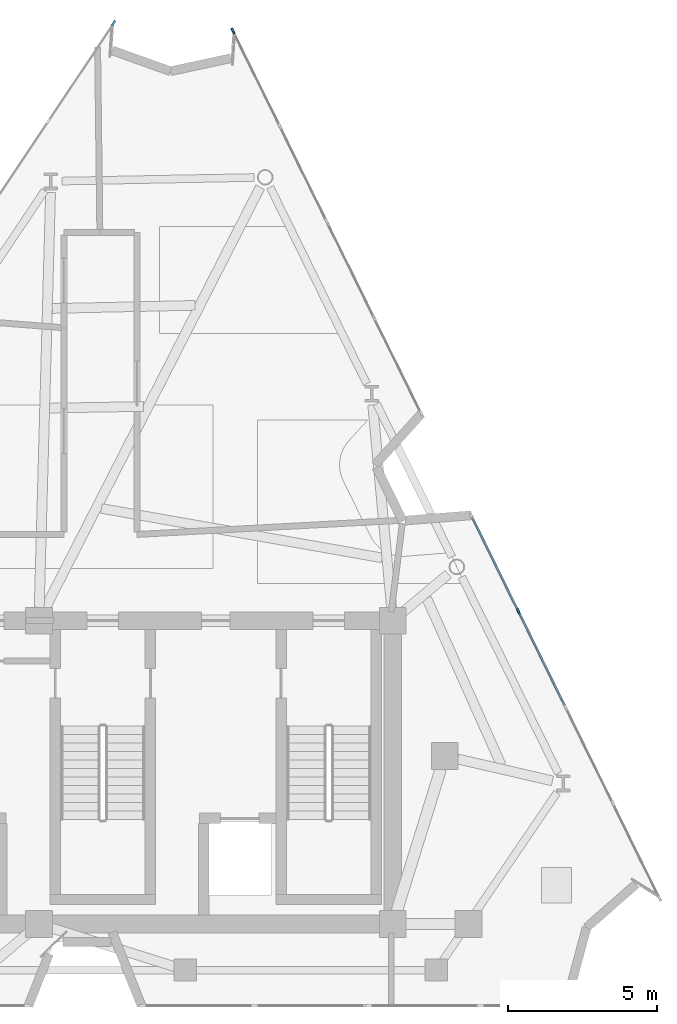
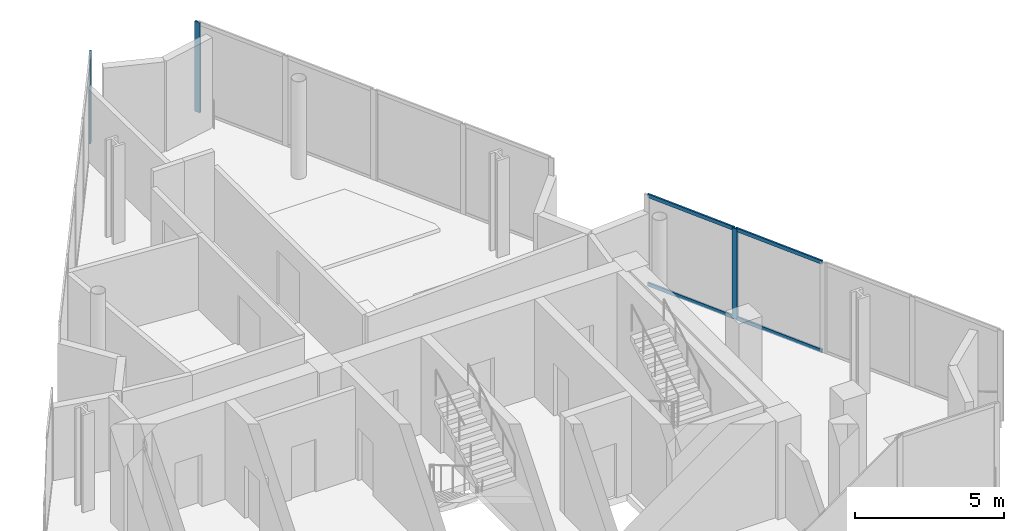
# One storey, part 4 of 9: 7 members, 3 elements without a shape of their own.
"""IFC4 building model written with IfcOpenShell, lengths in metres."""

from ifc_helpers import new_model, si_unit, direction, frame, origin, origin_2d, place, context, subcontext, project, spatial, rectangle, extrude, material, layer, layer_set, material_profile, profile_set, type_object, element, aggregate, save


model = new_model("IFC4")

# Units and contexts
model_context = context("Model", 3, precision=1e-05, world=origin(), true_north=direction((0.0, 1.0)))
body_context = subcontext(model_context, "Body", "Model", "MODEL_VIEW")
ifc_project = project(units=[si_unit("LENGTHUNIT", "METRE"), si_unit("AREAUNIT", "SQUARE_METRE"), si_unit("VOLUMEUNIT", "CUBIC_METRE"), si_unit("PLANEANGLEUNIT", "RADIAN"), si_unit("MASSUNIT", "GRAM", prefix="KILO")], contexts=[model_context])

# Site, building, storey
site_placement = place(None, origin())
site = spatial("IfcSite", under=ifc_project, at=site_placement, CompositionType="ELEMENT")
building_placement = place(site_placement, origin())
building = spatial("IfcBuilding", under=site, at=building_placement, Name="Almagre Mirador Tower", CompositionType="ELEMENT")
storey_placement = place(building_placement, frame((0.0, 0.0, 298.5)))
storey = spatial("IfcBuildingStorey", under=building, at=storey_placement, Name="L77", CompositionType="ELEMENT", Elevation=298.5)

# Curtain wall, member
ifc_material_1 = material(Name="Black anodized aluminium", Category="aluminium")
ifc_layer = layer(ifc_material_1, 0.2099609375)
ifc_layer_set = layer_set([ifc_layer], Name="Black anodized aluminium")
curtain_wall_type = type_object("IfcCurtainWallType", Name="CW-CRN-SYS", PredefinedType="NOTDEFINED", material=ifc_layer_set)
curtain_wall_1_placement = place(storey_placement, origin())
curtain_wall_1 = element("IfcCurtainWall", 1, at=curtain_wall_1_placement, inside=storey, type_object=curtain_wall_type, Name="L77 curtain wall run 02", PredefinedType="NOTDEFINED")
ifc_material_2 = material(Name="Black anodized aluminium", Category="aluminium")
ifc_material_profile_1 = material_profile(ifc_material_2, rectangle(XDim=0.070068359375, YDim=0.2099609375, at=origin_2d()), Name="CWM70X210")
ifc_profile_set_1 = profile_set([ifc_material_profile_1], Name="Black anodized aluminium")
member_type_1 = type_object("IfcMemberType", Name="MBR-CWM70X210", PredefinedType="MULLION", material=ifc_profile_set_1)
member_1_placement = place(storey_placement, frame((37.65966796875, 34.843994140625, 0.0), z_axis=(0.0, 0.0, 1.0), x_axis=(-0.831703606854, 0.555219875676, 0.0)))
member_1 = element("IfcMember", 2, at=member_1_placement, type_object=member_type_1, Name="CW-6 mullion 3", PredefinedType="MULLION", context=body_context, shape_type="SweptSolid", body=[
    extrude(rectangle(XDim=0.070068359375, YDim=0.2099609375, at=origin_2d()), origin(), (0.0, 0.0, 1.0), 3.699951171875),
])
aggregate(curtain_wall_1, [member_1])

curtain_wall_2_placement = place(storey_placement, origin())
curtain_wall_2 = element("IfcCurtainWall", 3, at=curtain_wall_2_placement, inside=storey, type_object=curtain_wall_type, Name="L77 curtain wall run 03", PredefinedType="NOTDEFINED")
member_2_placement = place(storey_placement, frame((41.680419921875, 34.57958984375, 0.0), z_axis=(0.0, 0.0, 1.0), x_axis=(0.897355834196, 0.441307723516, 0.0)))
member_2 = element("IfcMember", 4, at=member_2_placement, type_object=member_type_1, Name="CW-6 mullion 1", PredefinedType="MULLION", context=body_context, shape_type="SweptSolid", body=[
    extrude(rectangle(XDim=0.070068359375, YDim=0.2099609375, at=origin_2d()), origin(), (0.0, 0.0, 1.0), 3.699951171875),
])
aggregate(curtain_wall_2, [member_2])

# Curtain wall, members
curtain_wall_3_placement = place(storey_placement, origin())
curtain_wall_3 = element("IfcCurtainWall", 5, at=curtain_wall_3_placement, inside=storey, type_object=curtain_wall_type, Name="L77 curtain wall run 05", PredefinedType="NOTDEFINED")
member_3_placement = place(storey_placement, frame((51.274658203125, 15.068603515625, 0.0), z_axis=(0.0, 0.0, 1.0), x_axis=(0.897355834196, 0.441307723516, 0.0)))
member_3 = element("IfcMember", 6, at=member_3_placement, type_object=member_type_1, Name="CW-6 mullion 2", PredefinedType="MULLION", context=body_context, shape_type="SweptSolid", body=[
    extrude(rectangle(XDim=0.070068359375, YDim=0.2099609375, at=origin_2d()), origin(), (0.0, 0.0, 1.0), 3.699951171875),
])
ifc_material_3 = material(Name="Black anodized aluminium", Category="aluminium")
ifc_material_profile_2 = material_profile(ifc_material_3, rectangle(XDim=0.06494140625, YDim=0.14990234375, at=origin_2d()), Name="CWT65X150")
ifc_profile_set_2 = profile_set([ifc_material_profile_2], Name="Black anodized aluminium")
member_type_2 = type_object("IfcMemberType", Name="MBR-CWT65X150", PredefinedType="USERDEFINED", material=ifc_profile_set_2)
member_4_placement = place(storey_placement, frame((49.718994140625, 18.232177734375, 0.032470703125), z_axis=(0.44127256684, -0.897373122929, 0.0), x_axis=(0.897373122929, 0.44127256684, 0.0)))
member_4 = element("IfcMember", 7, at=member_4_placement, type_object=member_type_2, Name="CW-6 transom 1.1", ObjectType="TRANSOM", PredefinedType="USERDEFINED", context=body_context, shape_type="SweptSolid", body=[
    extrude(rectangle(XDim=0.06494140625, YDim=0.14990234375, at=origin_2d()), origin(), (0.0, 0.0, 1.0), 3.490478515625),
])
member_5_placement = place(storey_placement, frame((49.718994140625, 18.232177734375, 3.66748046875), z_axis=(0.44127256684, -0.897373122929, 0.0), x_axis=(0.897373122929, 0.44127256684, 0.0)))
member_5 = element("IfcMember", 8, at=member_5_placement, type_object=member_type_2, Name="CW-6 transom 1.2", ObjectType="TRANSOM", PredefinedType="USERDEFINED", context=body_context, shape_type="SweptSolid", body=[
    extrude(rectangle(XDim=0.06494140625, YDim=0.14990234375, at=origin_2d()), origin(), (0.0, 0.0, 1.0), 3.490478515625),
])
member_6_placement = place(storey_placement, frame((51.290283203125, 15.037109375, 0.032470703125), z_axis=(0.44127256684, -0.897373122929, 0.0), x_axis=(0.897373122929, 0.44127256684, 0.0)))
member_6 = element("IfcMember", 9, at=member_6_placement, type_object=member_type_2, Name="CW-6 transom 2.1", ObjectType="TRANSOM", PredefinedType="USERDEFINED", context=body_context, shape_type="SweptSolid", body=[
    extrude(rectangle(XDim=0.06494140625, YDim=0.14990234375, at=origin_2d()), origin(), (0.0, 0.0, 1.0), 3.490478515625),
])
member_7_placement = place(storey_placement, frame((51.290283203125, 15.037109375, 3.66748046875), z_axis=(0.44127256684, -0.897373122929, 0.0), x_axis=(0.897373122929, 0.44127256684, 0.0)))
member_7 = element("IfcMember", 10, at=member_7_placement, type_object=member_type_2, Name="CW-6 transom 2.2", ObjectType="TRANSOM", PredefinedType="USERDEFINED", context=body_context, shape_type="SweptSolid", body=[
    extrude(rectangle(XDim=0.06494140625, YDim=0.14990234375, at=origin_2d()), origin(), (0.0, 0.0, 1.0), 3.490478515625),
])
aggregate(curtain_wall_3, [member_3, member_4, member_5, member_6, member_7])

save(model, "model.ifc")
